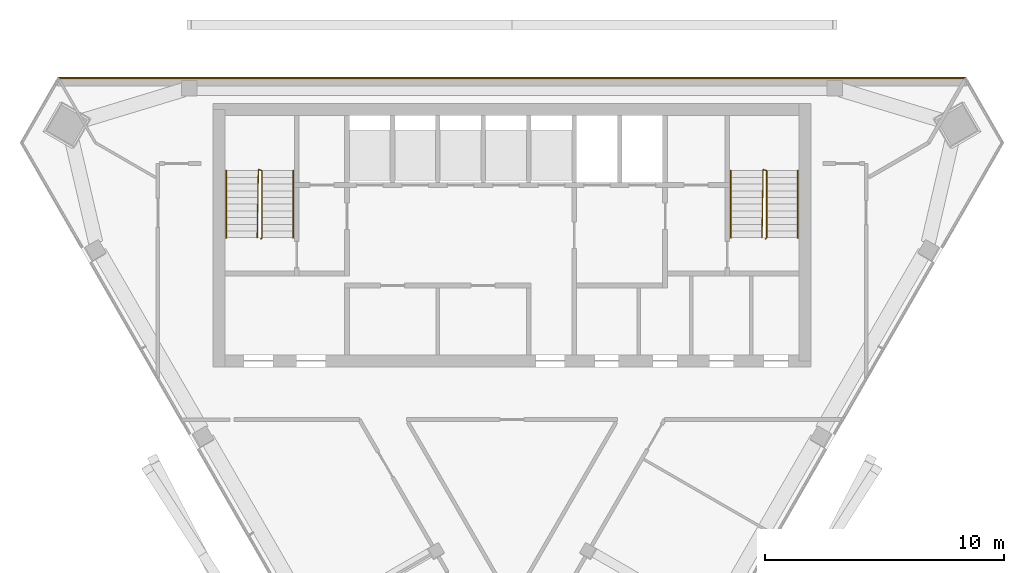
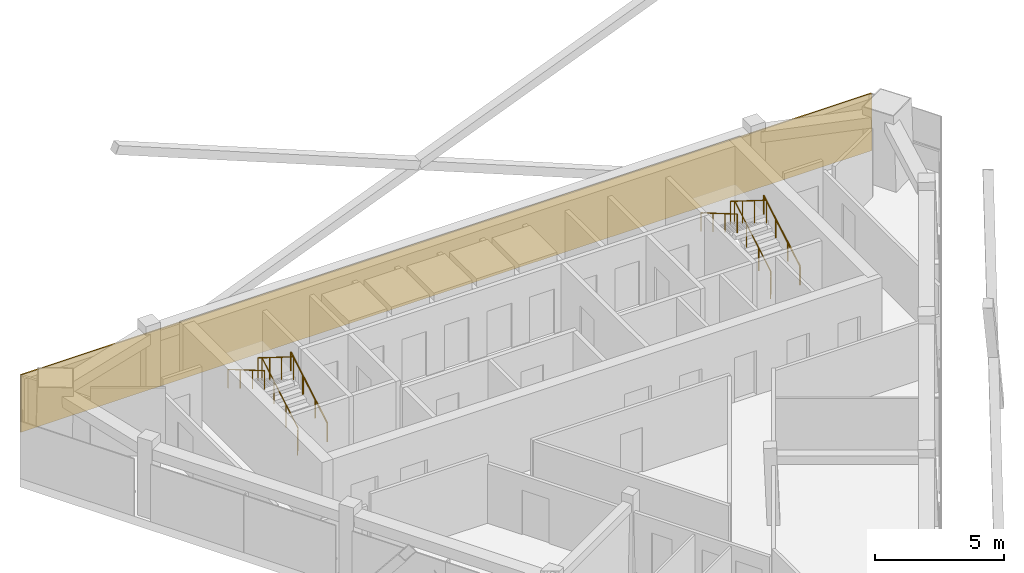
# One storey, part 9 of 10: 6 railings, 1 covering.
"""IFC4 building model written with IfcOpenShell, lengths in metres."""

from ifc_helpers import new_model, si_unit, direction, frame, frame_2d, origin, origin_2d, place, context, subcontext, project, spatial, rectangle, circle, extrude, material, layer, layer_set, type_object, element, save


model = new_model("IFC4")

# Units and contexts
model_context = context("Model", 3, precision=1e-05, world=origin(), true_north=direction((0.0, 1.0)))
body_context = subcontext(model_context, "Body", "Model", "MODEL_VIEW")
ifc_project = project(units=[si_unit("LENGTHUNIT", "METRE"), si_unit("AREAUNIT", "SQUARE_METRE"), si_unit("VOLUMEUNIT", "CUBIC_METRE"), si_unit("PLANEANGLEUNIT", "RADIAN"), si_unit("MASSUNIT", "GRAM", prefix="KILO")], contexts=[model_context])

# Site, building, storey
site_placement = place(None, origin())
site = spatial("IfcSite", under=ifc_project, at=site_placement, CompositionType="ELEMENT")
building_placement = place(site_placement, origin())
building = spatial("IfcBuilding", under=site, at=building_placement, Name="Altiplano Prism Tower", CompositionType="ELEMENT")
storey_placement = place(building_placement, frame((0.0, 0.0, 347.199951171875)))
storey = spatial("IfcBuildingStorey", under=building, at=storey_placement, Name="L90", CompositionType="ELEMENT", Elevation=347.199951171875)

# Railings
ifc_material_1 = material(Name="Steel S355", Category="steel")
railing_type_1 = type_object("IfcRailingType", Name="Stair guard 1100", PredefinedType="GUARDRAIL", material=ifc_material_1)
railing_1_placement = place(storey_placement, frame((74.5, 98.25, 0.0)))
element("IfcRailing", 1, at=railing_1_placement, inside=storey, type_object=railing_type_1, Name="L90 ST1 stair guard 1", PredefinedType="GUARDRAIL", context=body_context, shape_type="SweptSolid", body=[
    extrude(circle(Radius=0.02392578125, at=origin_2d()), frame((0.0, 0.0, 1.076171875), z_axis=(0.280808744504, 0.280808744504, 0.917765164963), x_axis=(-0.707106781187, 0.707106781187, 0.0)), (0.0, 0.0, 1.0), 0.17822265625),
    extrude(circle(Radius=0.02392578125, at=origin_2d()), frame((0.050048828125, 0.050048828125, 1.23974609375), z_axis=(0.0, 0.863360870873, 0.504586966384), x_axis=(-1.0, 0.0, 0.0)), (0.0, 0.0, 1.0), 3.2431640625),
    extrude(circle(Radius=0.02392578125, at=origin_2d()), frame((0.050048828125, 2.85009765625, 2.8759765625), z_axis=(-0.949145278916, 0.314838433982, 0.0), x_axis=(-0.314838433982, -0.949145278916, 0.0)), (0.0, 0.0, 1.0), 0.158203125),
    extrude(circle(Radius=0.02392578125, at=origin_2d()), frame((-0.10009765625, 2.89990234375, 2.8759765625), z_axis=(-0.01477401265, -0.845377694409, 0.533964682676), x_axis=(0.999847325713, -0.01747355902, 0.0)), (0.0, 0.0, 1.0), 3.37109375),
    extrude(circle(Radius=0.02099609375, at=origin_2d()), origin(), (0.0, 0.0, 1.0), 1.052001953125),
    extrude(circle(Radius=0.02099609375, at=origin_2d()), frame((0.050048828125, 0.050048828125, 0.16357421875)), (0.0, 0.0, 1.0), 1.052001953125),
    extrude(circle(Radius=0.02099609375, at=origin_2d()), frame((0.050048828125, 0.9833984375, 0.708984375)), (0.0, 0.0, 1.0), 1.052001953125),
    extrude(circle(Radius=0.02099609375, at=origin_2d()), frame((0.050048828125, 1.916748046875, 1.254638671875)), (0.0, 0.0, 1.0), 1.052001953125),
    extrude(circle(Radius=0.02099609375, at=origin_2d()), frame((0.050048828125, 2.85009765625, 1.800048828125)), (0.0, 0.0, 1.0), 1.052001953125),
    extrude(circle(Radius=0.02099609375, at=origin_2d()), frame((-0.10009765625, 2.89990234375, 1.800048828125)), (0.0, 0.0, 1.0), 1.052001953125),
    extrude(circle(Radius=0.02099609375, at=origin_2d()), frame((-0.11669921875, 1.949951171875, 2.400146484375)), (0.0, 0.0, 1.0), 1.052001953125),
    extrude(circle(Radius=0.02099609375, at=origin_2d()), frame((-0.13330078125, 1.0, 3.0)), (0.0, 0.0, 1.0), 1.052001953125),
    extrude(circle(Radius=0.02099609375, at=origin_2d()), frame((-0.14990234375, 0.050048828125, 3.60009765625)), (0.0, 0.0, 1.0), 1.052001953125),
])
railing_2_placement = place(storey_placement, frame((95.60009765625, 98.25, 0.0)))
element("IfcRailing", 2, at=railing_2_placement, inside=storey, type_object=railing_type_1, Name="L90 ST2 stair guard 1", PredefinedType="GUARDRAIL", context=body_context, shape_type="SweptSolid", body=[
    extrude(circle(Radius=0.02392578125, at=origin_2d()), frame((0.0, 0.0, 1.076171875), z_axis=(0.279546231943, 0.280916556609, 0.91811752648), x_axis=(-0.708833529934, 0.705375805398, 0.0)), (0.0, 0.0, 1.0), 0.17822265625),
    extrude(circle(Radius=0.02392578125, at=origin_2d()), frame((0.0498046875, 0.050048828125, 1.23974609375), z_axis=(0.0, 0.863360870873, 0.504586966384), x_axis=(-1.0, 0.0, 0.0)), (0.0, 0.0, 1.0), 3.2431640625),
    extrude(circle(Radius=0.02392578125, at=origin_2d()), frame((0.0498046875, 2.85009765625, 2.8759765625), z_axis=(-0.948991962702, 0.315300261223, 0.0), x_axis=(-0.315300261223, -0.948991962702, 0.0)), (0.0, 0.0, 1.0), 0.157958984375),
    extrude(circle(Radius=0.02392578125, at=origin_2d()), frame((-0.10009765625, 2.89990234375, 2.8759765625), z_axis=(-0.014846418356, -0.845376787675, 0.533964109957), x_axis=(0.999845825584, -0.017559187376, 0.0)), (0.0, 0.0, 1.0), 3.37109375),
    extrude(circle(Radius=0.02099609375, at=origin_2d()), origin(), (0.0, 0.0, 1.0), 1.052001953125),
    extrude(circle(Radius=0.02099609375, at=origin_2d()), frame((0.0498046875, 0.050048828125, 0.16357421875)), (0.0, 0.0, 1.0), 1.052001953125),
    extrude(circle(Radius=0.02099609375, at=origin_2d()), frame((0.0498046875, 0.9833984375, 0.708984375)), (0.0, 0.0, 1.0), 1.052001953125),
    extrude(circle(Radius=0.02099609375, at=origin_2d()), frame((0.0498046875, 1.916748046875, 1.254638671875)), (0.0, 0.0, 1.0), 1.052001953125),
    extrude(circle(Radius=0.02099609375, at=origin_2d()), frame((0.0498046875, 2.85009765625, 1.800048828125)), (0.0, 0.0, 1.0), 1.052001953125),
    extrude(circle(Radius=0.02099609375, at=origin_2d()), frame((-0.10009765625, 2.89990234375, 1.800048828125)), (0.0, 0.0, 1.0), 1.052001953125),
    extrude(circle(Radius=0.02099609375, at=origin_2d()), frame((-0.11669921875, 1.949951171875, 2.400146484375)), (0.0, 0.0, 1.0), 1.052001953125),
    extrude(circle(Radius=0.02099609375, at=origin_2d()), frame((-0.133544921875, 1.0, 3.0)), (0.0, 0.0, 1.0), 1.052001953125),
    extrude(circle(Radius=0.02099609375, at=origin_2d()), frame((-0.150146484375, 0.050048828125, 3.60009765625)), (0.0, 0.0, 1.0), 1.052001953125),
])
railing_type_2 = type_object("IfcRailingType", Name="Stair handrail 900", PredefinedType="HANDRAIL", material=ifc_material_1)
railing_3_placement = place(storey_placement, frame((75.85009765625, 98.300048828125, 0.16357421875)))
element("IfcRailing", 3, at=railing_3_placement, inside=storey, type_object=railing_type_2, Name="L90 ST1 stair handrail 1", PredefinedType="HANDRAIL", context=body_context, shape_type="SweptSolid", body=[
    extrude(circle(Radius=0.02392578125, at=origin_2d()), frame((0.0, 0.0, 0.8759765625), z_axis=(0.0, 0.863360870873, 0.504586966384), x_axis=(-1.0, 0.0, 0.0)), (0.0, 0.0, 1.0), 3.2431640625),
    extrude(circle(Radius=0.02099609375, at=origin_2d()), origin(), (0.0, 0.0, 1.0), 0.851806640625),
    extrude(circle(Radius=0.02099609375, at=origin_2d()), frame((0.0, 0.933349609375, 0.54541015625)), (0.0, 0.0, 1.0), 0.851806640625),
    extrude(circle(Radius=0.02099609375, at=origin_2d()), frame((0.0, 1.86669921875, 1.091064453125)), (0.0, 0.0, 1.0), 0.851806640625),
    extrude(circle(Radius=0.02099609375, at=origin_2d()), frame((0.0, 2.800048828125, 1.636474609375)), (0.0, 0.0, 1.0), 0.851806640625),
])
railing_4_placement = place(storey_placement, frame((73.050048828125, 101.10009765625, 1.963623046875)))
element("IfcRailing", 4, at=railing_4_placement, inside=storey, type_object=railing_type_2, Name="L90 ST1 stair handrail 2", PredefinedType="HANDRAIL", context=body_context, shape_type="SweptSolid", body=[
    extrude(circle(Radius=0.02392578125, at=origin_2d()), frame((0.0, 0.0, 0.8759765625), z_axis=(0.0, -0.863360870873, 0.504586966384), x_axis=(1.0, 0.0, 0.0)), (0.0, 0.0, 1.0), 3.2431640625),
    extrude(circle(Radius=0.02099609375, at=origin_2d()), origin(), (0.0, 0.0, 1.0), 0.851806640625),
    extrude(circle(Radius=0.02099609375, at=origin_2d()), frame((0.0, -0.933349609375, 0.54541015625)), (0.0, 0.0, 1.0), 0.851806640625),
    extrude(circle(Radius=0.02099609375, at=origin_2d()), frame((0.0, -1.86669921875, 1.091064453125)), (0.0, 0.0, 1.0), 0.851806640625),
    extrude(circle(Radius=0.02099609375, at=origin_2d()), frame((0.0, -2.800048828125, 1.636474609375)), (0.0, 0.0, 1.0), 0.851806640625),
])
railing_5_placement = place(storey_placement, frame((96.949951171875, 98.300048828125, 0.16357421875)))
element("IfcRailing", 5, at=railing_5_placement, inside=storey, type_object=railing_type_2, Name="L90 ST2 stair handrail 1", PredefinedType="HANDRAIL", context=body_context, shape_type="SweptSolid", body=[
    extrude(circle(Radius=0.02392578125, at=origin_2d()), frame((0.0, 0.0, 0.8759765625), z_axis=(0.0, 0.863360870873, 0.504586966384), x_axis=(-1.0, 0.0, 0.0)), (0.0, 0.0, 1.0), 3.2431640625),
    extrude(circle(Radius=0.02099609375, at=origin_2d()), origin(), (0.0, 0.0, 1.0), 0.851806640625),
    extrude(circle(Radius=0.02099609375, at=origin_2d()), frame((0.0, 0.933349609375, 0.54541015625)), (0.0, 0.0, 1.0), 0.851806640625),
    extrude(circle(Radius=0.02099609375, at=origin_2d()), frame((0.0, 1.86669921875, 1.091064453125)), (0.0, 0.0, 1.0), 0.851806640625),
    extrude(circle(Radius=0.02099609375, at=origin_2d()), frame((0.0, 2.800048828125, 1.636474609375)), (0.0, 0.0, 1.0), 0.851806640625),
])
railing_6_placement = place(storey_placement, frame((94.14990234375, 101.10009765625, 1.963623046875)))
element("IfcRailing", 6, at=railing_6_placement, inside=storey, type_object=railing_type_2, Name="L90 ST2 stair handrail 2", PredefinedType="HANDRAIL", context=body_context, shape_type="SweptSolid", body=[
    extrude(circle(Radius=0.02392578125, at=origin_2d()), frame((0.0, 0.0, 0.8759765625), z_axis=(0.0, -0.863360870873, 0.504586966384), x_axis=(1.0, 0.0, 0.0)), (0.0, 0.0, 1.0), 3.2431640625),
    extrude(circle(Radius=0.02099609375, at=origin_2d()), origin(), (0.0, 0.0, 1.0), 0.851806640625),
    extrude(circle(Radius=0.02099609375, at=origin_2d()), frame((0.0, -0.933349609375, 0.54541015625)), (0.0, 0.0, 1.0), 0.851806640625),
    extrude(circle(Radius=0.02099609375, at=origin_2d()), frame((0.0, -1.86669921875, 1.091064453125)), (0.0, 0.0, 1.0), 0.851806640625),
    extrude(circle(Radius=0.02099609375, at=origin_2d()), frame((0.0, -2.800048828125, 1.636474609375)), (0.0, 0.0, 1.0), 0.851806640625),
])

# Covering
ifc_material_2 = material(Name="Warm limestone cast stone", Category="masonry")
ifc_layer = layer(ifc_material_2, 0.06005859375)
ifc_layer_set = layer_set([ifc_layer], Name="Warm limestone cast stone")
covering_type = type_object("IfcCoveringType", Name="Stone cladding 60", PredefinedType="CLADDING", material=ifc_layer_set)
covering_placement = place(storey_placement, frame((66.01025390625, 104.969970703125, 0.0), z_axis=(0.0, 0.0, 1.0), x_axis=(1.0, 0.0, 0.0)))
element("IfcCovering", 7, at=covering_placement, inside=storey, type_object=covering_type, Name="Stone cladding north face L90", PredefinedType="CLADDING", context=body_context, shape_type="SweptSolid", body=[
    extrude(rectangle(XDim=37.9794921875, YDim=0.06005859375, at=frame_2d((18.98974609375, 0.0))), origin(), (0.0, 0.0, 1.0), 2.699951171875),
])

save(model, "model.ifc")
